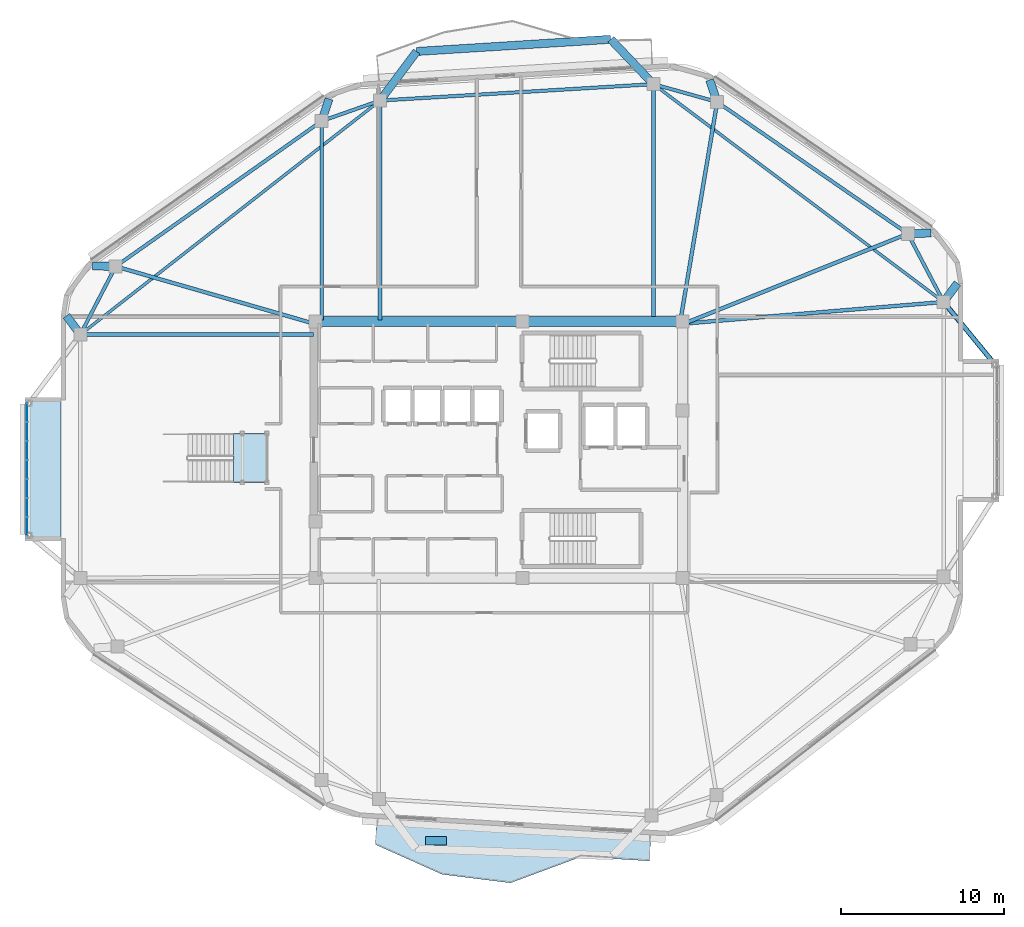
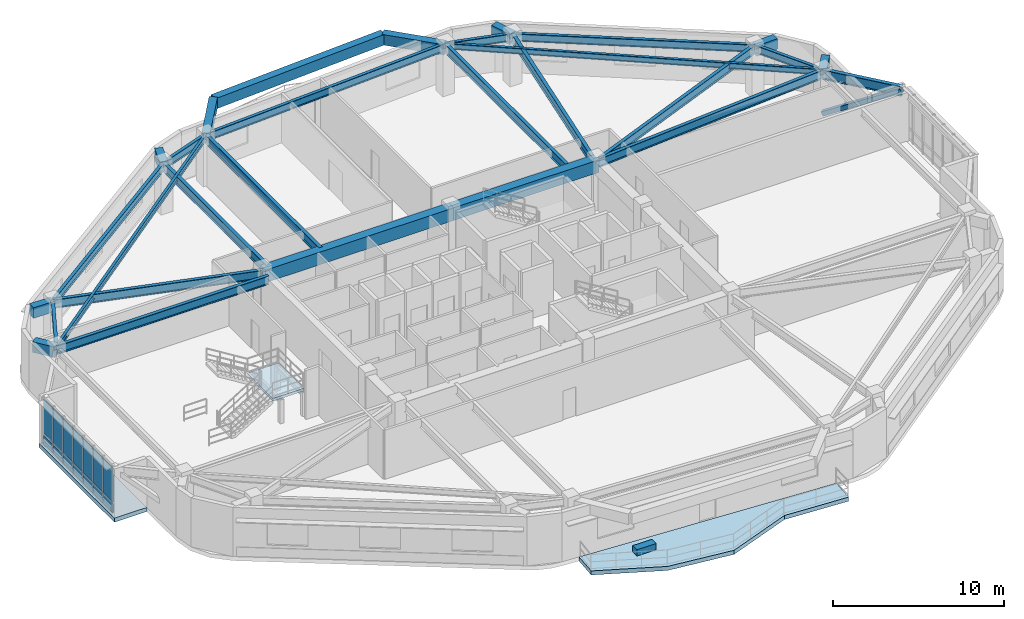
# One storey, part 10 of 18: 29 beams, 15 plates, 3 slabs, 1 member, 2 elements without a shape of their own.
"""IFC4 building model written with IfcOpenShell, lengths in metres."""

from ifc_helpers import new_model, si_unit, direction, frame, origin, origin_2d, place, context, subcontext, project, spatial, polyline, rectangle, hollow_rectangle, i_section, outline, extrude, material, layer, layer_set, material_profile, profile_set, type_object, element, aggregate, save


model = new_model("IFC4")

# Units and contexts
model_context = context("Model", 3, precision=1e-05, world=origin(), true_north=direction((0.0, 1.0)))
body_context = subcontext(model_context, "Body", "Model", "MODEL_VIEW")
ifc_project = project(units=[si_unit("LENGTHUNIT", "METRE"), si_unit("AREAUNIT", "SQUARE_METRE"), si_unit("VOLUMEUNIT", "CUBIC_METRE"), si_unit("PLANEANGLEUNIT", "RADIAN"), si_unit("MASSUNIT", "GRAM", prefix="KILO")], contexts=[model_context])

# Site, building, storey
site_placement = place(None, origin())
site = spatial("IfcSite", under=ifc_project, at=site_placement, CompositionType="ELEMENT")
building_placement = place(site_placement, origin())
building = spatial("IfcBuilding", under=site, at=building_placement, Name="Zulverin Broadcast Headquarters", CompositionType="ELEMENT")
storey_placement = place(building_placement, frame((0.0, 0.0, 225.0)))
storey = spatial("IfcBuildingStorey", under=building, at=storey_placement, Name="L57", CompositionType="ELEMENT", Elevation=225.0)

# Beams
ifc_material_1 = material(Name="Concrete C60/75", Category="concrete")
ifc_material_profile_1 = material_profile(ifc_material_1, rectangle(XDim=0.60009765625, YDim=0.89990234375, at=origin_2d()), Name="Concrete C60/75", Category="concrete")
ifc_profile_set_1 = profile_set([ifc_material_profile_1], Name="Concrete C60/75")
beam_type_1 = type_object("IfcBeamType", Name="BM-CB-600x900", PredefinedType="LINTEL", material=ifc_profile_set_1)
beam_1_placement = place(storey_placement, frame((48.27490234375, 33.074951171875, 3.06005859375), z_axis=(-1.0, 0.0, 0.0), x_axis=(0.0, -1.0, 0.0)))
element("IfcBeam", 1, at=beam_1_placement, inside=storey, type_object=beam_type_1, Name="L57 Core Coupling Girder K05-K06", PredefinedType="LINTEL", context=body_context, shape_type="SweptSolid", body=[
    extrude(rectangle(XDim=0.60009765625, YDim=0.89990234375, at=origin_2d()), origin(), (0.0, 0.0, 1.0), 9.824951171875),
])
beam_2_placement = place(storey_placement, frame((38.449951171875, 33.074951171875, 3.06005859375), z_axis=(-1.0, 0.0, 0.0), x_axis=(0.0, -1.0, 0.0)))
element("IfcBeam", 2, at=beam_2_placement, inside=storey, type_object=beam_type_1, Name="L57 Core Coupling Girder K06-K07", PredefinedType="LINTEL", context=body_context, shape_type="SweptSolid", body=[
    extrude(rectangle(XDim=0.60009765625, YDim=0.89990234375, at=origin_2d()), origin(), (0.0, 0.0, 1.0), 12.724853515625),
])
ifc_material_2 = material(Name="Concrete C40/50", Category="concrete")
ifc_material_profile_2 = material_profile(ifc_material_2, rectangle(XDim=0.5, YDim=0.75, at=origin_2d()), Name="Concrete C40/50", Category="concrete")
ifc_profile_set_2 = profile_set([ifc_material_profile_2], Name="Concrete C40/50")
beam_type_2 = type_object("IfcBeamType", Name="BM-RC-500x750", PredefinedType="BEAM", material=ifc_profile_set_2)
beam_3_placement = place(storey_placement, frame((64.300048828125, 34.275634765625, 3.135009765625), z_axis=(0.594275850381, 0.804261284443, 0.0), x_axis=(-0.804261284443, 0.594275850381, 0.0)))
element("IfcBeam", 3, at=beam_3_placement, inside=storey, type_object=beam_type_2, Name="L58 Plate Overhang Back-Spanned Beam OVR-06", PredefinedType="BEAM", context=body_context, shape_type="SweptSolid", body=[
    extrude(rectangle(XDim=0.5, YDim=0.75, at=origin_2d()), origin(), (0.0, 0.0, 1.0), 1.43017578125),
])
for number, where, z_axis, x_axis, name in (
    (4, (62.102783203125, 38.465087890625, 3.135009765625), (0.99949018153, 0.031927684309, 0.0), (-0.031927684309, 0.99949018153, 0.0), "L58 Plate Overhang Back-Spanned Beam OVR-07"),
    (5, (50.39794921875, 46.554443359375, 3.135009765625), (-0.323542873341, 0.946213511376, 0.0), (-0.946213511376, -0.323542873341, 0.0), "L58 Plate Overhang Back-Spanned Beam OVR-08"),
):
    element("IfcBeam", number, at=place(storey_placement, frame(where, z_axis=z_axis, x_axis=x_axis)), inside=storey, type_object=beam_type_2, Name=name, PredefinedType="BEAM", context=body_context, shape_type="SweptSolid", body=[
        extrude(rectangle(XDim=0.5, YDim=0.75, at=origin_2d()), origin(), (0.0, 0.0, 1.0), 1.429931640625),
    ])
beam_4_placement = place(storey_placement, frame((26.11474609375, 45.383544921875, 3.135009765625), z_axis=(0.314280982662, 0.94933000792, 0.0), x_axis=(-0.94933000792, 0.314280982662, 0.0)))
element("IfcBeam", 6, at=beam_4_placement, inside=storey, type_object=beam_type_2, Name="L58 Plate Overhang Back-Spanned Beam OVR-11", PredefinedType="BEAM", context=body_context, shape_type="SweptSolid", body=[
    extrude(rectangle(XDim=0.5, YDim=0.75, at=origin_2d()), origin(), (0.0, 0.0, 1.0), 1.43017578125),
])
for number, where, z_axis, x_axis, name in (
    (7, (13.46728515625, 36.457763671875, 3.135009765625), (-0.999761201155, 0.02185270385, 0.0), (-0.02185270385, -0.999761201155, 0.0), "L58 Plate Overhang Back-Spanned Beam OVR-12"),
    (8, (11.300048828125, 32.275390625, 3.135009765625), (-0.594467864193, 0.804119368279, 0.0), (-0.804119368279, -0.594467864193, 0.0), "L58 Plate Overhang Back-Spanned Beam OVR-13"),
):
    element("IfcBeam", number, at=place(storey_placement, frame(where, z_axis=z_axis, x_axis=x_axis)), inside=storey, type_object=beam_type_2, Name=name, PredefinedType="BEAM", context=body_context, shape_type="SweptSolid", body=[
        extrude(rectangle(XDim=0.5, YDim=0.75, at=origin_2d()), origin(), (0.0, 0.0, 1.0), 1.429931640625),
    ])
beam_5_placement = place(storey_placement, frame((46.4814453125, 47.6484375, 3.135009765625), z_axis=(-0.689382393643, 0.724397622397, 0.0), x_axis=(-0.724397622397, -0.689382393643, 0.0)))
element("IfcBeam", 9, at=beam_5_placement, inside=storey, type_object=beam_type_2, Name="L58 Balcony Column-Framed Cantilever BAL_N-1", PredefinedType="BEAM", context=body_context, shape_type="SweptSolid", body=[
    extrude(rectangle(XDim=0.5, YDim=0.75, at=origin_2d()), origin(), (0.0, 0.0, 1.0), 3.800048828125),
])
beam_6_placement = place(storey_placement, frame((29.70068359375, 46.64111328125, 3.135009765625), z_axis=(0.597773649055, 0.801664932809, 0.0), x_axis=(-0.801664932809, 0.597773649055, 0.0)))
element("IfcBeam", 10, at=beam_6_placement, inside=storey, type_object=beam_type_2, Name="L58 Balcony Column-Framed Cantilever BAL_N-2", PredefinedType="BEAM", context=body_context, shape_type="SweptSolid", body=[
    extrude(rectangle(XDim=0.5, YDim=0.75, at=origin_2d()), origin(), (0.0, 0.0, 1.0), 3.758544921875),
])
beam_7_placement = place(storey_placement, frame((43.86181640625, 50.401123046875, 3.135009765625), z_axis=(-0.998041182389, -0.062560356897, 0.0), x_axis=(0.062560356897, -0.998041182389, 0.0)))
element("IfcBeam", 11, at=beam_7_placement, inside=storey, type_object=beam_type_2, Name="L58 Balcony Outer Edge Trimmer Beam BAL_N", PredefinedType="BEAM", context=body_context, shape_type="SweptSolid", body=[
    extrude(rectangle(XDim=0.5, YDim=0.75, at=origin_2d()), origin(), (0.0, 0.0, 1.0), 11.937744140625),
])
ifc_material_3 = material(Name="Structural steel S355JR", Category="steel")
ifc_material_profile_3 = material_profile(ifc_material_3, i_section(OverallWidth=0.179443359375, OverallDepth=0.412841796875, WebThickness=0.009521484375, FlangeThickness=0.01611328125, at=origin_2d()), Name="Structural steel S355JR", Category="steel")
ifc_profile_set_3 = profile_set([ifc_material_profile_3], Name="Structural steel S355JR")
beam_type_3 = type_object("IfcBeamType", Name="BM-UB-406", PredefinedType="JOIST", material=ifc_profile_set_3)
beam_8_placement = place(storey_placement, frame((64.300048828125, 34.275634765625, 3.3037109375), z_axis=(-0.799809280949, 0.600254207905, 0.0), x_axis=(-0.600254207905, -0.799809280949, 0.0)))
element("IfcBeam", 12, at=beam_8_placement, inside=storey, type_object=beam_type_3, Name="L57 Chordal Floor Joist J-02", PredefinedType="JOIST", context=body_context, shape_type="SweptSolid", body=[
    extrude(i_section(OverallWidth=0.179443359375, OverallDepth=0.412841796875, WebThickness=0.009521484375, FlangeThickness=0.01611328125, at=origin_2d()), origin(), (0.0, 0.0, 1.0), 22.278564453125),
])
beam_9_placement = place(storey_placement, frame((29.70068359375, 46.64111328125, 3.3037109375), z_axis=(-0.788227438956, -0.615384030079, 0.0), x_axis=(0.615384030079, -0.788227438956, 0.0)))
element("IfcBeam", 13, at=beam_9_placement, inside=storey, type_object=beam_type_3, Name="L57 Chordal Floor Joist J-03", PredefinedType="JOIST", context=body_context, shape_type="SweptSolid", body=[
    extrude(i_section(OverallWidth=0.179443359375, OverallDepth=0.412841796875, WebThickness=0.009521484375, FlangeThickness=0.01611328125, at=origin_2d()), origin(), (0.0, 0.0, 1.0), 23.34423828125),
])
ifc_material_profile_4 = material_profile(ifc_material_3, i_section(OverallWidth=0.2119140625, OverallDepth=0.54443359375, WebThickness=0.0126953125, FlangeThickness=0.021240234375, at=origin_2d()), Name="Structural steel S355JR", Category="steel")
ifc_profile_set_4 = profile_set([ifc_material_profile_4], Name="Structural steel S355JR")
beam_type_4 = type_object("IfcBeamType", Name="BM-UB-533", PredefinedType="SPANDREL", material=ifc_profile_set_4)
beam_10_placement = place(storey_placement, frame((64.300048828125, 34.275634765625, 3.23779296875), z_axis=(-0.464469748171, 0.885588986513, 0.0), x_axis=(-0.885588986513, -0.464469748171, 0.0)))
element("IfcBeam", 14, at=beam_10_placement, inside=storey, type_object=beam_type_4, Name="L57 Perimeter Spandrel Beam SP-06", PredefinedType="SPANDREL", context=body_context, shape_type="SweptSolid", body=[
    extrude(i_section(OverallWidth=0.2119140625, OverallDepth=0.54443359375, WebThickness=0.0126953125, FlangeThickness=0.021240234375, at=origin_2d()), origin(), (0.0, 0.0, 1.0), 4.730712890625),
])
beam_11_placement = place(storey_placement, frame((62.102783203125, 38.465087890625, 3.23779296875), z_axis=(-0.822652126292, 0.568545054597, 0.0), x_axis=(-0.568545054597, -0.822652126292, 0.0)))
element("IfcBeam", 15, at=beam_11_placement, inside=storey, type_object=beam_type_4, Name="L57 Perimeter Spandrel Beam SP-07", PredefinedType="SPANDREL", context=body_context, shape_type="SweptSolid", body=[
    extrude(i_section(OverallWidth=0.2119140625, OverallDepth=0.54443359375, WebThickness=0.0126953125, FlangeThickness=0.021240234375, at=origin_2d()), origin(), (0.0, 0.0, 1.0), 14.228271484375),
])
beam_12_placement = place(storey_placement, frame((50.39794921875, 46.554443359375, 3.23779296875), z_axis=(-0.963131566005, 0.26903082828, 0.0), x_axis=(-0.26903082828, -0.963131566005, 0.0)))
element("IfcBeam", 16, at=beam_12_placement, inside=storey, type_object=beam_type_4, Name="L57 Perimeter Spandrel Beam SP-08", PredefinedType="SPANDREL", context=body_context, shape_type="SweptSolid", body=[
    extrude(i_section(OverallWidth=0.2119140625, OverallDepth=0.54443359375, WebThickness=0.0126953125, FlangeThickness=0.021240234375, at=origin_2d()), origin(), (0.0, 0.0, 1.0), 4.06640625),
])
beam_13_placement = place(storey_placement, frame((46.4814453125, 47.6484375, 3.23779296875), z_axis=(-0.99820314332, -0.059920653088, 0.0), x_axis=(0.059920653088, -0.99820314332, 0.0)))
element("IfcBeam", 17, at=beam_13_placement, inside=storey, type_object=beam_type_4, Name="L57 Perimeter Spandrel Beam SP-09", PredefinedType="SPANDREL", context=body_context, shape_type="SweptSolid", body=[
    extrude(i_section(OverallWidth=0.2119140625, OverallDepth=0.54443359375, WebThickness=0.0126953125, FlangeThickness=0.021240234375, at=origin_2d()), origin(), (0.0, 0.0, 1.0), 16.81103515625),
])
beam_14_placement = place(storey_placement, frame((29.70068359375, 46.64111328125, 3.23779296875), z_axis=(-0.943653845921, -0.330934161243, 0.0), x_axis=(0.330934161243, -0.943653845921, 0.0)))
element("IfcBeam", 18, at=beam_14_placement, inside=storey, type_object=beam_type_4, Name="L57 Perimeter Spandrel Beam SP-10", PredefinedType="SPANDREL", context=body_context, shape_type="SweptSolid", body=[
    extrude(i_section(OverallWidth=0.2119140625, OverallDepth=0.54443359375, WebThickness=0.0126953125, FlangeThickness=0.021240234375, at=origin_2d()), origin(), (0.0, 0.0, 1.0), 3.800048828125),
])
beam_15_placement = place(storey_placement, frame((26.11474609375, 45.383544921875, 3.23779296875), z_axis=(-0.817023806154, -0.576603937012, 0.0), x_axis=(0.576603937012, -0.817023806154, 0.0)))
element("IfcBeam", 19, at=beam_15_placement, inside=storey, type_object=beam_type_4, Name="L57 Perimeter Spandrel Beam SP-11", PredefinedType="SPANDREL", context=body_context, shape_type="SweptSolid", body=[
    extrude(i_section(OverallWidth=0.2119140625, OverallDepth=0.54443359375, WebThickness=0.0126953125, FlangeThickness=0.021240234375, at=origin_2d()), origin(), (0.0, 0.0, 1.0), 15.47998046875),
])
beam_16_placement = place(storey_placement, frame((13.46728515625, 36.457763671875, 3.23779296875), z_axis=(-0.460082658911, -0.887876087621, 0.0), x_axis=(0.887876087621, -0.460082658911, 0.0)))
element("IfcBeam", 20, at=beam_16_placement, inside=storey, type_object=beam_type_4, Name="L57 Perimeter Spandrel Beam SP-12", PredefinedType="SPANDREL", context=body_context, shape_type="SweptSolid", body=[
    extrude(i_section(OverallWidth=0.2119140625, OverallDepth=0.54443359375, WebThickness=0.0126953125, FlangeThickness=0.021240234375, at=origin_2d()), origin(), (0.0, 0.0, 1.0), 4.71044921875),
])
ifc_material_profile_5 = material_profile(ifc_material_3, i_section(OverallWidth=0.230224609375, OverallDepth=0.6171875, WebThickness=0.01318359375, FlangeThickness=0.022216796875, at=origin_2d()), Name="Structural steel S355JR", Category="steel")
ifc_profile_set_5 = profile_set([ifc_material_profile_5], Name="Structural steel S355JR")
beam_type_5 = type_object("IfcBeamType", Name="BM-UB-610", PredefinedType="BEAM", material=ifc_profile_set_5)
beam_17_placement = place(storey_placement, frame((48.375, 32.949951171875, 3.201416015625), z_axis=(0.996553024533, 0.082958238256, 0.0), x_axis=(-0.082958238256, 0.996553024533, 0.0)))
element("IfcBeam", 21, at=beam_17_placement, inside=storey, type_object=beam_type_5, Name="L57 Radial Primary Floor Beam RB-06", PredefinedType="BEAM", context=body_context, shape_type="SweptSolid", body=[
    extrude(i_section(OverallWidth=0.230224609375, OverallDepth=0.6171875, WebThickness=0.01318359375, FlangeThickness=0.022216796875, at=origin_2d()), origin(), (0.0, 0.0, 1.0), 15.980224609375),
])
beam_18_placement = place(storey_placement, frame((48.375, 32.949951171875, 3.201416015625), z_axis=(0.927915690744, 0.37279011638, 0.0), x_axis=(-0.37279011638, 0.927915690744, 0.0)))
element("IfcBeam", 22, at=beam_18_placement, inside=storey, type_object=beam_type_5, Name="L57 Radial Primary Floor Beam RB-07", PredefinedType="BEAM", context=body_context, shape_type="SweptSolid", body=[
    extrude(i_section(OverallWidth=0.230224609375, OverallDepth=0.6171875, WebThickness=0.01318359375, FlangeThickness=0.022216796875, at=origin_2d()), origin(), (0.0, 0.0, 1.0), 14.794189453125),
])
beam_19_placement = place(storey_placement, frame((48.14990234375, 33.175048828125, 3.201416015625), z_axis=(0.165700339104, 0.986176149388, 0.0), x_axis=(-0.986176149388, 0.165700339104, 0.0)))
element("IfcBeam", 23, at=beam_19_placement, inside=storey, type_object=beam_type_5, Name="L57 Radial Primary Floor Beam RB-08", PredefinedType="BEAM", context=body_context, shape_type="SweptSolid", body=[
    extrude(i_section(OverallWidth=0.230224609375, OverallDepth=0.6171875, WebThickness=0.01318359375, FlangeThickness=0.022216796875, at=origin_2d()), origin(), (0.0, 0.0, 1.0), 13.56689453125),
])
beam_20_placement = place(storey_placement, frame((46.4814453125, 33.175048828125, 3.201416015625), z_axis=(0.0, 1.0, 0.0), x_axis=(-1.0, 0.0, 0.0)))
element("IfcBeam", 24, at=beam_20_placement, inside=storey, type_object=beam_type_5, Name="L57 Radial Primary Floor Beam RB-09", PredefinedType="BEAM", context=body_context, shape_type="SweptSolid", body=[
    extrude(i_section(OverallWidth=0.230224609375, OverallDepth=0.6171875, WebThickness=0.01318359375, FlangeThickness=0.022216796875, at=origin_2d()), origin(), (0.0, 0.0, 1.0), 14.473388671875),
])
beam_21_placement = place(storey_placement, frame((29.70068359375, 33.175048828125, 3.201416015625), z_axis=(0.0, 1.0, 0.0), x_axis=(-1.0, 0.0, 0.0)))
element("IfcBeam", 25, at=beam_21_placement, inside=storey, type_object=beam_type_5, Name="L57 Radial Primary Floor Beam RB-10", PredefinedType="BEAM", context=body_context, shape_type="SweptSolid", body=[
    extrude(i_section(OverallWidth=0.230224609375, OverallDepth=0.6171875, WebThickness=0.01318359375, FlangeThickness=0.022216796875, at=origin_2d()), origin(), (0.0, 0.0, 1.0), 13.466064453125),
])
beam_22_placement = place(storey_placement, frame((26.11474609375, 33.175048828125, 3.201416015625), z_axis=(0.0, 1.0, 0.0), x_axis=(-1.0, 0.0, 0.0)))
element("IfcBeam", 26, at=beam_22_placement, inside=storey, type_object=beam_type_5, Name="L57 Radial Primary Floor Beam RB-11", PredefinedType="BEAM", context=body_context, shape_type="SweptSolid", body=[
    extrude(i_section(OverallWidth=0.230224609375, OverallDepth=0.6171875, WebThickness=0.01318359375, FlangeThickness=0.022216796875, at=origin_2d()), origin(), (0.0, 0.0, 1.0), 12.20849609375),
])
beam_23_placement = place(storey_placement, frame((25.625, 32.949951171875, 3.201416015625), z_axis=(-0.960807187215, 0.277217512067, 0.0), x_axis=(-0.277217512067, -0.960807187215, 0.0)))
element("IfcBeam", 27, at=beam_23_placement, inside=storey, type_object=beam_type_5, Name="L57 Radial Primary Floor Beam RB-12", PredefinedType="BEAM", context=body_context, shape_type="SweptSolid", body=[
    extrude(i_section(OverallWidth=0.230224609375, OverallDepth=0.6171875, WebThickness=0.01318359375, FlangeThickness=0.022216796875, at=origin_2d()), origin(), (0.0, 0.0, 1.0), 12.653564453125),
])
beam_24_placement = place(storey_placement, frame((25.625, 32.275390625, 3.201416015625), z_axis=(-1.0, 0.0, 0.0), x_axis=(0.0, -1.0, 0.0)))
element("IfcBeam", 28, at=beam_24_placement, inside=storey, type_object=beam_type_5, Name="L57 Radial Primary Floor Beam RB-13", PredefinedType="BEAM", context=body_context, shape_type="SweptSolid", body=[
    extrude(i_section(OverallWidth=0.230224609375, OverallDepth=0.6171875, WebThickness=0.01318359375, FlangeThickness=0.022216796875, at=origin_2d()), origin(), (0.0, 0.0, 1.0), 14.324951171875),
])
ifc_material_profile_6 = material_profile(ifc_material_3, i_section(OverallWidth=0.255859375, OverallDepth=0.69287109375, WebThickness=0.014404296875, FlangeThickness=0.023681640625, at=origin_2d()), Name="Structural steel S355JR", Category="steel")
ifc_profile_set_6 = profile_set([ifc_material_profile_6], Name="Structural steel S355JR")
beam_type_6 = type_object("IfcBeamType", Name="BM-UB-686", PredefinedType="BEAM", material=ifc_profile_set_6)
beam_25_placement = place(storey_placement, frame((64.300048828125, 34.275634765625, 3.16357421875), z_axis=(0.634637667991, -0.772809828074, 0.0), x_axis=(0.772809828074, 0.634637667991, 0.0)))
element("IfcBeam", 29, at=beam_25_placement, inside=storey, type_object=beam_type_6, Name="L57 Studio Box Cantilever Girder SBOX_SKY2_E-2", PredefinedType="BEAM", context=body_context, shape_type="SweptSolid", body=[
    extrude(i_section(OverallWidth=0.255859375, OverallDepth=0.69287109375, WebThickness=0.014404296875, FlangeThickness=0.023681640625, at=origin_2d()), origin(), (0.0, 0.0, 1.0), 4.96337890625),
])

# Member
ifc_material_profile_7 = material_profile(ifc_material_3, hollow_rectangle(XDim=0.300048828125, YDim=0.300048828125, WallThickness=0.01611328125, at=origin_2d()), Name="Structural steel S355JR", Category="steel")
ifc_profile_set_7 = profile_set([ifc_material_profile_7], Name="Structural steel S355JR")
member_type = type_object("IfcMemberType", Name="MBR-BLT-DIAG1", PredefinedType="BRACE", material=ifc_profile_set_7)
member_placement = place(storey_placement, frame((64.300048828125, 34.275634765625, 0.35009765625), z_axis=(0.54988578167, -0.669605915038, 0.499252987636), x_axis=(0.772809828074, 0.634637667991, 0.0)))
element("IfcMember", 30, at=member_placement, inside=storey, type_object=member_type, Name="L57 Studio Box Raking Knee Brace SBOX_SKY2_E-2", PredefinedType="BRACE", context=body_context, shape_type="SweptSolid", body=[
    extrude(hollow_rectangle(XDim=0.300048828125, YDim=0.300048828125, WallThickness=0.01611328125, at=origin_2d()), origin(), (0.0, 0.0, 1.0), 5.728271484375),
])

# Curtain wall, plates
ifc_material_4 = material(Name="Acoustic triple-glazed studio box curtain wall", Category="aluminium")
curtain_wall_type = type_object("IfcCurtainWallType", Name="CW-SBOX", PredefinedType="USERDEFINED", material=ifc_material_4)
curtain_wall_placement = place(storey_placement, origin())
curtain_wall = element("IfcCurtainWall", 31, at=curtain_wall_placement, inside=storey, type_object=curtain_wall_type, Name="L57 Unitised Curtain Wall CW-L57-SBOX_SKY2_W-F", ObjectType="UNITISED CURTAIN WALL", PredefinedType="USERDEFINED")
ifc_material_5 = material(Name="Low-E double-glazed pale-silver vision glass", Category="glass")
ifc_layer_1 = layer(ifc_material_5, 0.035888671875, Name="Low-E double-glazed pale-silver vision glass", Category="glass")
ifc_layer_set_1 = layer_set([ifc_layer_1], Name="Low-E double-glazed pale-silver vision glass")
plate_type_1 = type_object("IfcPlateType", Name="CW-PNL-GLZ", PredefinedType="CURTAIN_PANEL", material=ifc_layer_set_1)
plate_1_placement = place(storey_placement, frame((8.02001953125, 27.507080078125, 0.9072265625), z_axis=(0.0, 0.0, 1.0), x_axis=(0.0, -1.0, 0.0)))
plate_1 = element("IfcPlate", 32, at=plate_1_placement, type_object=plate_type_1, Name="CW-L57-SBOX_SKY2_W-F Vision Panel 00", PredefinedType="CURTAIN_PANEL", context=body_context, shape_type="SweptSolid", body=[
    extrude(rectangle(XDim=1.125732421875, YDim=0.035888671875, at=origin_2d()), origin(), (0.0, 0.0, 1.0), 2.462646484375),
])
plate_2_placement = place(storey_placement, frame((8.02001953125, 26.34130859375, 0.9072265625), z_axis=(0.0, 0.0, 1.0), x_axis=(0.0, -1.0, 0.0)))
plate_2 = element("IfcPlate", 33, at=plate_2_placement, type_object=plate_type_1, Name="CW-L57-SBOX_SKY2_W-F Vision Panel 01", PredefinedType="CURTAIN_PANEL", context=body_context, shape_type="SweptSolid", body=[
    extrude(rectangle(XDim=1.125732421875, YDim=0.035888671875, at=origin_2d()), origin(), (0.0, 0.0, 1.0), 2.462646484375),
])
plate_3_placement = place(storey_placement, frame((8.02001953125, 25.17578125, 0.9072265625), z_axis=(0.0, 0.0, 1.0), x_axis=(0.0, -1.0, 0.0)))
plate_3 = element("IfcPlate", 34, at=plate_3_placement, type_object=plate_type_1, Name="CW-L57-SBOX_SKY2_W-F Vision Panel 02", PredefinedType="CURTAIN_PANEL", context=body_context, shape_type="SweptSolid", body=[
    extrude(rectangle(XDim=1.125732421875, YDim=0.035888671875, at=origin_2d()), origin(), (0.0, 0.0, 1.0), 2.462646484375),
])
plate_4_placement = place(storey_placement, frame((8.02001953125, 24.010009765625, 0.9072265625), z_axis=(0.0, 0.0, 1.0), x_axis=(0.0, -1.0, 0.0)))
plate_4 = element("IfcPlate", 35, at=plate_4_placement, type_object=plate_type_1, Name="CW-L57-SBOX_SKY2_W-F Vision Panel 03", PredefinedType="CURTAIN_PANEL", context=body_context, shape_type="SweptSolid", body=[
    extrude(rectangle(XDim=1.125732421875, YDim=0.035888671875, at=origin_2d()), origin(), (0.0, 0.0, 1.0), 2.462646484375),
])
plate_5_placement = place(storey_placement, frame((8.02001953125, 22.84423828125, 0.9072265625), z_axis=(0.0, 0.0, 1.0), x_axis=(0.0, -1.0, 0.0)))
plate_5 = element("IfcPlate", 36, at=plate_5_placement, type_object=plate_type_1, Name="CW-L57-SBOX_SKY2_W-F Vision Panel 04", PredefinedType="CURTAIN_PANEL", context=body_context, shape_type="SweptSolid", body=[
    extrude(rectangle(XDim=1.125732421875, YDim=0.035888671875, at=origin_2d()), origin(), (0.0, 0.0, 1.0), 2.462646484375),
])
plate_6_placement = place(storey_placement, frame((8.02001953125, 21.6787109375, 0.9072265625), z_axis=(0.0, 0.0, 1.0), x_axis=(0.0, -1.0, 0.0)))
plate_6 = element("IfcPlate", 37, at=plate_6_placement, type_object=plate_type_1, Name="CW-L57-SBOX_SKY2_W-F Vision Panel 05", PredefinedType="CURTAIN_PANEL", context=body_context, shape_type="SweptSolid", body=[
    extrude(rectangle(XDim=1.125732421875, YDim=0.035888671875, at=origin_2d()), origin(), (0.0, 0.0, 1.0), 2.462646484375),
])
plate_7_placement = place(storey_placement, frame((8.02001953125, 20.512939453125, 0.9072265625), z_axis=(0.0, 0.0, 1.0), x_axis=(0.0, -1.0, 0.0)))
plate_7 = element("IfcPlate", 38, at=plate_7_placement, type_object=plate_type_1, Name="CW-L57-SBOX_SKY2_W-F Vision Panel 06", PredefinedType="CURTAIN_PANEL", context=body_context, shape_type="SweptSolid", body=[
    extrude(rectangle(XDim=1.125732421875, YDim=0.035888671875, at=origin_2d()), origin(), (0.0, 0.0, 1.0), 2.462646484375),
])
ifc_material_6 = material(Name="Insulated brushed pale-aluminium spandrel cassette", Category="aluminium")
ifc_layer_2 = layer(ifc_material_6, 0.050048828125, Name="Insulated brushed pale-aluminium spandrel cassette", Category="aluminium")
ifc_layer_set_2 = layer_set([ifc_layer_2], Name="Insulated brushed pale-aluminium spandrel cassette")
plate_type_2 = type_object("IfcPlateType", Name="CW-PNL-SPN", PredefinedType="CURTAIN_PANEL", material=ifc_layer_set_2)
plate_8_placement = place(storey_placement, frame((8.02001953125, 27.507080078125, 0.14013671875), z_axis=(0.0, 0.0, 1.0), x_axis=(0.0, -1.0, 0.0)))
plate_8 = element("IfcPlate", 39, at=plate_8_placement, type_object=plate_type_2, Name="CW-L57-SBOX_SKY2_W-F Spandrel Cassette 00", PredefinedType="CURTAIN_PANEL", context=body_context, shape_type="SweptSolid", body=[
    extrude(rectangle(XDim=1.125732421875, YDim=0.050048828125, at=origin_2d()), origin(), (0.0, 0.0, 1.0), 0.637451171875),
])
plate_9_placement = place(storey_placement, frame((8.02001953125, 26.34130859375, 0.14013671875), z_axis=(0.0, 0.0, 1.0), x_axis=(0.0, -1.0, 0.0)))
plate_9 = element("IfcPlate", 40, at=plate_9_placement, type_object=plate_type_2, Name="CW-L57-SBOX_SKY2_W-F Spandrel Cassette 01", PredefinedType="CURTAIN_PANEL", context=body_context, shape_type="SweptSolid", body=[
    extrude(rectangle(XDim=1.125732421875, YDim=0.050048828125, at=origin_2d()), origin(), (0.0, 0.0, 1.0), 0.637451171875),
])
plate_10_placement = place(storey_placement, frame((8.02001953125, 25.17578125, 0.14013671875), z_axis=(0.0, 0.0, 1.0), x_axis=(0.0, -1.0, 0.0)))
plate_10 = element("IfcPlate", 41, at=plate_10_placement, type_object=plate_type_2, Name="CW-L57-SBOX_SKY2_W-F Spandrel Cassette 02", PredefinedType="CURTAIN_PANEL", context=body_context, shape_type="SweptSolid", body=[
    extrude(rectangle(XDim=1.125732421875, YDim=0.050048828125, at=origin_2d()), origin(), (0.0, 0.0, 1.0), 0.637451171875),
])
plate_11_placement = place(storey_placement, frame((8.02001953125, 24.010009765625, 0.14013671875), z_axis=(0.0, 0.0, 1.0), x_axis=(0.0, -1.0, 0.0)))
plate_11 = element("IfcPlate", 42, at=plate_11_placement, type_object=plate_type_2, Name="CW-L57-SBOX_SKY2_W-F Spandrel Cassette 03", PredefinedType="CURTAIN_PANEL", context=body_context, shape_type="SweptSolid", body=[
    extrude(rectangle(XDim=1.125732421875, YDim=0.050048828125, at=origin_2d()), origin(), (0.0, 0.0, 1.0), 0.637451171875),
])
plate_12_placement = place(storey_placement, frame((8.02001953125, 22.84423828125, 0.14013671875), z_axis=(0.0, 0.0, 1.0), x_axis=(0.0, -1.0, 0.0)))
plate_12 = element("IfcPlate", 43, at=plate_12_placement, type_object=plate_type_2, Name="CW-L57-SBOX_SKY2_W-F Spandrel Cassette 04", PredefinedType="CURTAIN_PANEL", context=body_context, shape_type="SweptSolid", body=[
    extrude(rectangle(XDim=1.125732421875, YDim=0.050048828125, at=origin_2d()), origin(), (0.0, 0.0, 1.0), 0.637451171875),
])
plate_13_placement = place(storey_placement, frame((8.02001953125, 21.6787109375, 0.14013671875), z_axis=(0.0, 0.0, 1.0), x_axis=(0.0, -1.0, 0.0)))
plate_13 = element("IfcPlate", 44, at=plate_13_placement, type_object=plate_type_2, Name="CW-L57-SBOX_SKY2_W-F Spandrel Cassette 05", PredefinedType="CURTAIN_PANEL", context=body_context, shape_type="SweptSolid", body=[
    extrude(rectangle(XDim=1.125732421875, YDim=0.050048828125, at=origin_2d()), origin(), (0.0, 0.0, 1.0), 0.637451171875),
])
plate_14_placement = place(storey_placement, frame((8.02001953125, 20.512939453125, 0.14013671875), z_axis=(0.0, 0.0, 1.0), x_axis=(0.0, -1.0, 0.0)))
plate_14 = element("IfcPlate", 45, at=plate_14_placement, type_object=plate_type_2, Name="CW-L57-SBOX_SKY2_W-F Spandrel Cassette 06", PredefinedType="CURTAIN_PANEL", context=body_context, shape_type="SweptSolid", body=[
    extrude(rectangle(XDim=1.125732421875, YDim=0.050048828125, at=origin_2d()), origin(), (0.0, 0.0, 1.0), 0.637451171875),
])
aggregate(curtain_wall, [plate_8, plate_1, plate_9, plate_2, plate_10, plate_3, plate_11, plate_4, plate_12, plate_5, plate_13, plate_6, plate_14, plate_7])

# Plate
ifc_material_7 = material(Name="Precast concrete C45/55", Category="concrete")
ifc_layer_3 = layer(ifc_material_7, 0.449951171875, Name="Precast concrete C45/55", Category="concrete")
ifc_layer_set_3 = layer_set([ifc_layer_3], Name="Precast concrete C45/55")
plate_type_3 = type_object("IfcPlateType", Name="PT-01_PRECAST_GFRC_TREE_PLANTER", PredefinedType="USERDEFINED", material=ifc_layer_set_3)
plate_15_placement = place(storey_placement, frame((33.1337890625, 1.19873046875, -0.0048828125), z_axis=(0.0, 0.0, 1.0), x_axis=(1.0, 0.0, 0.0)))
element("IfcPlate", 46, at=plate_15_placement, inside=storey, type_object=plate_type_3, Name="L57 Precast GFRC Tree Planter BAL_S", ObjectType="PLANTER", PredefinedType="USERDEFINED", context=body_context, shape_type="SweptSolid", body=[
    extrude(rectangle(XDim=1.300048828125, YDim=0.5, at=origin_2d()), origin(), (0.0, 0.0, 1.0), 0.449951171875),
])

# Slab
ifc_layer_4 = layer(ifc_material_2, 0.2900390625, Name="Concrete C40/50", Category="concrete")
ifc_layer_set_4 = layer_set([ifc_layer_4], Name="Concrete C40/50")
slab_type_1 = type_object("IfcSlabType", Name="SLB-BAL-290", PredefinedType="FLOOR", material=ifc_layer_set_4)
slab_1_placement = place(storey_placement, frame((0.0, 0.0, -0.2900390625)))
element("IfcSlab", 47, at=slab_1_placement, inside=storey, type_object=slab_type_1, Name="L57 Cantilevered Planted Balcony Slab BAL_S", PredefinedType="FLOOR", context=body_context, shape_type="SweptSolid", body=[
    extrude(outline(polyline([(46.32958984375, 1.55859375), (29.500244140625, 2.56884765625), (29.404296875, 0.9716796875), (33.516357421875, -0.8681640625), (37.707763671875, -1.388671875), (42.0263671875, 0.214111328125), (46.233642578125, -0.03857421875), (46.32958984375, 1.55859375)])), origin(), (0.0, 0.0, 1.0), 0.2900390625),
])

# Stair, slab
stair_type = type_object("IfcStairType", Name="ST-SKY-1400", PredefinedType="HALF_TURN_STAIR", material=ifc_material_2)
stair_placement = place(storey_placement, origin())
stair = element("IfcStair", 48, at=stair_placement, inside=storey, type_object=stair_type, Name="L57 High-Rise Sky Lobby Feature Stair ST-7", PredefinedType="HALF_TURN_STAIR")
ifc_layer_5 = layer(ifc_material_2, 0.199951171875, Name="Concrete C40/50", Category="concrete")
ifc_layer_set_5 = layer_set([ifc_layer_5], Name="Concrete C40/50")
slab_type_2 = type_object("IfcSlabType", Name="SLB-ST-LND200", PredefinedType="LANDING", material=ifc_layer_set_5)
slab_2_placement = place(storey_placement, frame((0.0, 0.0, 1.699951171875)))
slab_2 = element("IfcSlab", 49, at=slab_2_placement, type_object=slab_type_2, Name="ST-7 landing 1", PredefinedType="LANDING", context=body_context, shape_type="SweptSolid", body=[
    extrude(outline(polyline([(20.699951171875, 23.199951171875), (22.800048828125, 23.199951171875), (22.800048828125, 26.199951171875), (20.699951171875, 26.199951171875), (20.699951171875, 23.199951171875)])), origin(), (0.0, 0.0, 1.0), 0.199951171875),
])
aggregate(stair, [slab_2])

# Slab
ifc_layer_6 = layer(ifc_material_2, 0.2900390625, Name="Concrete C40/50", Category="concrete")
ifc_layer_set_6 = layer_set([ifc_layer_6], Name="Concrete C40/50")
slab_type_3 = type_object("IfcSlabType", Name="SLB-TWR-290", PredefinedType="FLOOR", material=ifc_layer_set_6)
slab_3_placement = place(storey_placement, frame((0.0, 0.0, -0.2900390625)))
element("IfcSlab", 50, at=slab_3_placement, inside=storey, type_object=slab_type_3, Name="L57 Shifted Broadcast Studio Box Floor Slab SBOX_SKY2_W", PredefinedType="FLOOR", context=body_context, shape_type="SweptSolid", body=[
    extrude(outline(polyline([(7.89990234375, 19.610107421875), (10.10009765625, 19.610107421875), (10.10009765625, 28.409912109375), (7.89990234375, 28.409912109375), (7.89990234375, 19.610107421875)])), origin(), (0.0, 0.0, 1.0), 0.2900390625),
])

save(model, "model.ifc")
